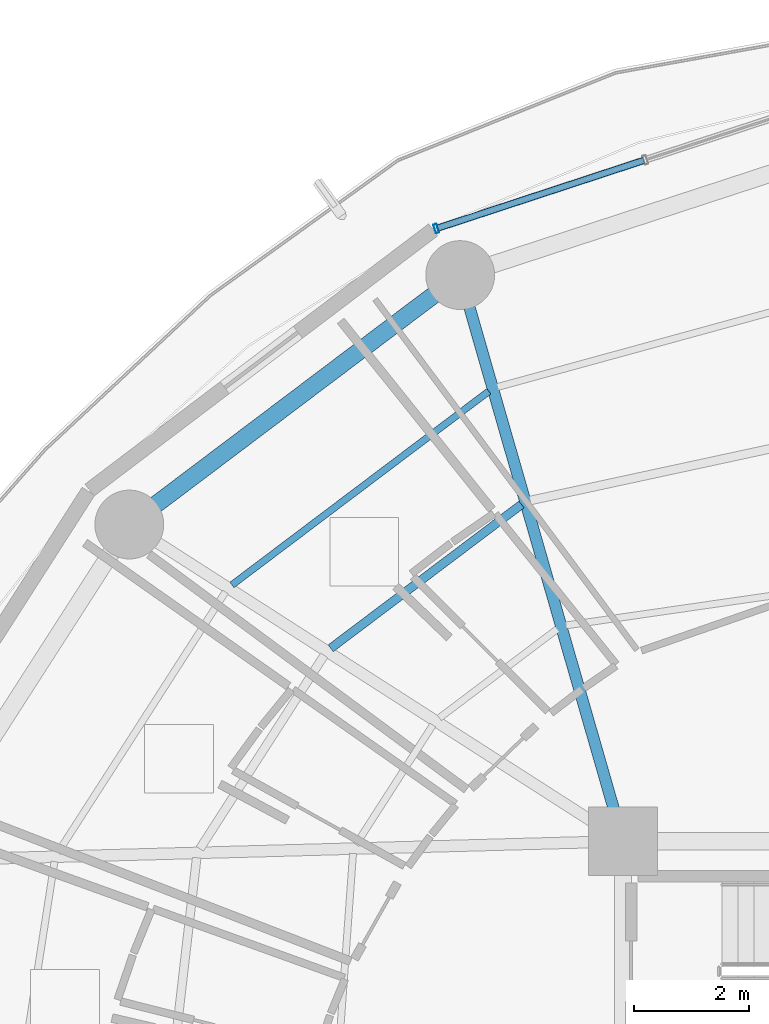
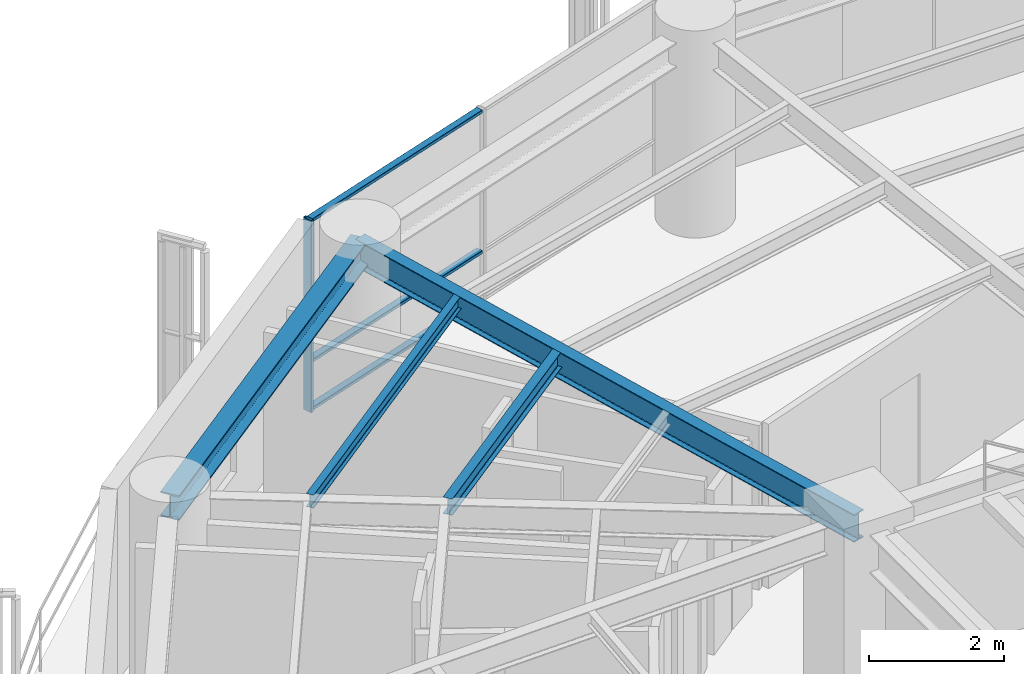
# One storey, part 16 of 28: 4 beams, 4 members, 1 element without a shape of its own.
"""IFC4 building model written with IfcOpenShell, lengths in metres."""

from ifc_helpers import new_model, si_unit, direction, frame, origin, origin_2d, place, context, subcontext, project, spatial, hollow_rectangle, i_section, extrude, material, layer, layer_set, material_profile, profile_set, type_object, element, aggregate, save


model = new_model("IFC4")

# Units and contexts
model_context = context("Model", 3, precision=1e-05, world=origin(), true_north=direction((0.0, 1.0)))
body_context = subcontext(model_context, "Body", "Model", "MODEL_VIEW")
ifc_project = project(units=[si_unit("LENGTHUNIT", "METRE"), si_unit("AREAUNIT", "SQUARE_METRE"), si_unit("VOLUMEUNIT", "CUBIC_METRE"), si_unit("PLANEANGLEUNIT", "RADIAN"), si_unit("MASSUNIT", "GRAM", prefix="KILO")], contexts=[model_context])

# Site, building, storey
site_placement = place(None, origin())
site = spatial("IfcSite", under=ifc_project, at=site_placement, CompositionType="ELEMENT")
building_placement = place(site_placement, origin())
building = spatial("IfcBuilding", under=site, at=building_placement, Name="Kelanora Arch Commons", CompositionType="ELEMENT")
storey_placement = place(building_placement, frame((0.0, 0.0, 176.85009765625)))
storey = spatial("IfcBuildingStorey", under=building, at=storey_placement, Name="L45", CompositionType="ELEMENT", Elevation=176.85009765625)

# Beams
ifc_material_1 = material(Name="Steel S355", Category="steel")
ifc_material_profile_1 = material_profile(ifc_material_1, i_section(OverallWidth=0.14990234375, OverallDepth=0.300048828125, WebThickness=0.007080078125, FlangeThickness=0.0107421875, FilletRadius=0.014892578125, at=origin_2d()), Name="IPE300")
ifc_profile_set_1 = profile_set([ifc_material_profile_1], Name="Steel S355")
beam_type_1 = type_object("IfcBeamType", Name="BM-JST-01", PredefinedType="JOIST", material=ifc_profile_set_1)
beam_1_placement = place(storey_placement, frame((64.22802734375, 70.870849609375, 3.33984375), z_axis=(-0.798463547891, -0.602043156833, 0.0), x_axis=(0.602043156833, -0.798463547891, 0.0)))
element("IfcBeam", 1, at=beam_1_placement, inside=storey, type_object=beam_type_1, Name="Secondary Chord Joist BJB-12 L45", PredefinedType="JOIST", context=body_context, shape_type="SweptSolid", body=[
    extrude(i_section(OverallWidth=0.14990234375, OverallDepth=0.300048828125, WebThickness=0.007080078125, FlangeThickness=0.0107421875, FilletRadius=0.014892578125, at=origin_2d()), origin(), (0.0, 0.0, 1.0), 4.163818359375),
])
ifc_material_profile_2 = material_profile(ifc_material_1, i_section(OverallWidth=0.1201171875, OverallDepth=0.239990234375, WebThickness=0.006103515625, FlangeThickness=0.009765625, FilletRadius=0.014892578125, at=origin_2d()), Name="IPE240")
ifc_profile_set_2 = profile_set([ifc_material_profile_2], Name="Steel S355")
beam_type_2 = type_object("IfcBeamType", Name="BM-JST-02", PredefinedType="JOIST", material=ifc_profile_set_2)
beam_2_placement = place(storey_placement, frame((63.66015625, 72.844970703125, 3.369873046875), z_axis=(-0.798493128577, -0.602003923256, 0.0), x_axis=(0.602003923256, -0.798493128577, 0.0)))
element("IfcBeam", 2, at=beam_2_placement, inside=storey, type_object=beam_type_2, Name="Secondary Chord Joist BJC-12 L45", PredefinedType="JOIST", context=body_context, shape_type="SweptSolid", body=[
    extrude(i_section(OverallWidth=0.1201171875, OverallDepth=0.239990234375, WebThickness=0.006103515625, FlangeThickness=0.009765625, FilletRadius=0.014892578125, at=origin_2d()), origin(), (0.0, 0.0, 1.0), 5.608642578125),
])
ifc_material_profile_3 = material_profile(ifc_material_1, i_section(OverallWidth=0.199951171875, OverallDepth=0.5, WebThickness=0.01025390625, FlangeThickness=0.01611328125, FilletRadius=0.02099609375, at=origin_2d()), Name="IPE500")
ifc_profile_set_3 = profile_set([ifc_material_profile_3], Name="Steel S355")
beam_type_3 = type_object("IfcBeamType", Name="BM-RAD-Z3", PredefinedType="BEAM", material=ifc_profile_set_3)
beam_3_placement = place(storey_placement, frame((66.0, 65.0, 3.239990234375), z_axis=(-0.276525880065, 0.961006471182, 0.0), x_axis=(-0.961006471182, -0.276525880065, 0.0)))
element("IfcBeam", 3, at=beam_3_placement, inside=storey, type_object=beam_type_3, Name="Radial Floor Girder BR-12 L45", PredefinedType="BEAM", context=body_context, shape_type="SweptSolid", body=[
    extrude(i_section(OverallWidth=0.199951171875, OverallDepth=0.5, WebThickness=0.01025390625, FlangeThickness=0.01611328125, FilletRadius=0.02099609375, at=origin_2d()), origin(), (0.0, 0.0, 1.0), 10.2705078125),
])
ifc_material_profile_4 = material_profile(ifc_material_1, i_section(OverallWidth=0.300048828125, OverallDepth=0.449951171875, WebThickness=0.013916015625, FlangeThickness=0.02587890625, FilletRadius=0.027099609375, at=origin_2d()), Name="HEB450")
ifc_profile_set_4 = profile_set([ifc_material_profile_4], Name="Steel S355")
beam_type_4 = type_object("IfcBeamType", Name="BM-SPN-Z3", PredefinedType="SPANDREL", material=ifc_profile_set_4)
beam_4_placement = place(storey_placement, frame((63.159912109375, 74.8701171875, 3.264892578125), z_axis=(-0.798484645564, -0.60201517489, 0.0), x_axis=(0.60201517489, -0.798484645564, 0.0)))
element("IfcBeam", 4, at=beam_4_placement, inside=storey, type_object=beam_type_4, Name="Perimeter Spandrel Beam BS-12 L45", PredefinedType="SPANDREL", context=body_context, shape_type="SweptSolid", body=[
    extrude(i_section(OverallWidth=0.300048828125, OverallDepth=0.449951171875, WebThickness=0.013916015625, FlangeThickness=0.02587890625, FilletRadius=0.027099609375, at=origin_2d()), origin(), (0.0, 0.0, 1.0), 7.223388671875),
])

# Curtain wall, members
ifc_material_2 = material(Name="Terracotta ceramic-fritted low-E glass and aluminium", Category="masonry")
ifc_layer = layer(ifc_material_2, 0.175048828125)
ifc_layer_set = layer_set([ifc_layer], Name="Terracotta ceramic-fritted low-E glass and aluminium")
curtain_wall_type = type_object("IfcCurtainWallType", Name="CW-SYS-02", PredefinedType="NOTDEFINED", material=ifc_layer_set)
curtain_wall_placement = place(storey_placement, origin())
curtain_wall = element("IfcCurtainWall", 5, at=curtain_wall_placement, inside=storey, type_object=curtain_wall_type, Name="Unitised Curtain Wall L45-B05", PredefinedType="NOTDEFINED")
ifc_material_3 = material(Name="Powder-coated aluminium terracotta", Category="masonry")
ifc_material_profile_5 = material_profile(ifc_material_3, hollow_rectangle(XDim=0.159912109375, YDim=0.06005859375, WallThickness=0.0048828125, InnerFilletRadius=0.0048828125, OuterFilletRadius=0.010009765625, at=origin_2d()), Name="CWM160x60")
ifc_profile_set_5 = profile_set([ifc_material_profile_5], Name="Powder-coated aluminium terracotta")
member_type_1 = type_object("IfcMemberType", Name="CWM-STD", PredefinedType="MULLION", material=ifc_profile_set_5)
member_1_placement = place(storey_placement, frame((62.742919921875, 75.680908203125, 0.0), z_axis=(0.0, 0.0, 1.0), x_axis=(0.312128279571, -0.95003996605, 0.0)))
member_1 = element("IfcMember", 6, at=member_1_placement, type_object=member_type_1, Name="CW-02 mullion 3", PredefinedType="MULLION", context=body_context, shape_type="SweptSolid", body=[
    extrude(hollow_rectangle(XDim=0.159912109375, YDim=0.06005859375, WallThickness=0.0048828125, InnerFilletRadius=0.0048828125, OuterFilletRadius=0.010009765625, at=origin_2d()), origin(), (0.0, 0.0, 1.0), 3.474853515625),
])
ifc_material_profile_6 = material_profile(ifc_material_3, hollow_rectangle(XDim=0.1201171875, YDim=0.06005859375, WallThickness=0.0048828125, InnerFilletRadius=0.0048828125, OuterFilletRadius=0.010009765625, at=origin_2d()), Name="CWT120x60")
ifc_profile_set_6 = profile_set([ifc_material_profile_6], Name="Powder-coated aluminium terracotta")
member_type_2 = type_object("IfcMemberType", Name="CWT-STD", PredefinedType="USERDEFINED", material=ifc_profile_set_6)
member_2_placement = place(storey_placement, frame((66.359375, 76.869140625, 0.02978515625), z_axis=(-0.950051191155, -0.312094111104, 0.0), x_axis=(0.312094111104, -0.950051191155, 0.0)))
member_2 = element("IfcMember", 7, at=member_2_placement, type_object=member_type_2, Name="CW-02 transom 2.1", ObjectType="TRANSOM", PredefinedType="USERDEFINED", context=body_context, shape_type="SweptSolid", body=[
    extrude(hollow_rectangle(XDim=0.1201171875, YDim=0.06005859375, WallThickness=0.0048828125, InnerFilletRadius=0.0048828125, OuterFilletRadius=0.010009765625, at=origin_2d()), origin(), (0.0, 0.0, 1.0), 3.77685546875),
])
member_3_placement = place(storey_placement, frame((66.359375, 76.869140625, 0.89990234375), z_axis=(-0.950051191155, -0.312094111104, 0.0), x_axis=(0.312094111104, -0.950051191155, 0.0)))
member_3 = element("IfcMember", 8, at=member_3_placement, type_object=member_type_2, Name="CW-02 transom 2.2", ObjectType="TRANSOM", PredefinedType="USERDEFINED", context=body_context, shape_type="SweptSolid", body=[
    extrude(hollow_rectangle(XDim=0.1201171875, YDim=0.06005859375, WallThickness=0.0048828125, InnerFilletRadius=0.0048828125, OuterFilletRadius=0.010009765625, at=origin_2d()), origin(), (0.0, 0.0, 1.0), 3.77685546875),
])
member_4_placement = place(storey_placement, frame((66.359375, 76.869140625, 3.44482421875), z_axis=(-0.950051191155, -0.312094111104, 0.0), x_axis=(0.312094111104, -0.950051191155, 0.0)))
member_4 = element("IfcMember", 9, at=member_4_placement, type_object=member_type_2, Name="CW-02 transom 2.3", ObjectType="TRANSOM", PredefinedType="USERDEFINED", context=body_context, shape_type="SweptSolid", body=[
    extrude(hollow_rectangle(XDim=0.1201171875, YDim=0.06005859375, WallThickness=0.0048828125, InnerFilletRadius=0.0048828125, OuterFilletRadius=0.010009765625, at=origin_2d()), origin(), (0.0, 0.0, 1.0), 3.77685546875),
])
aggregate(curtain_wall, [member_1, member_2, member_3, member_4])

save(model, "model.ifc")
